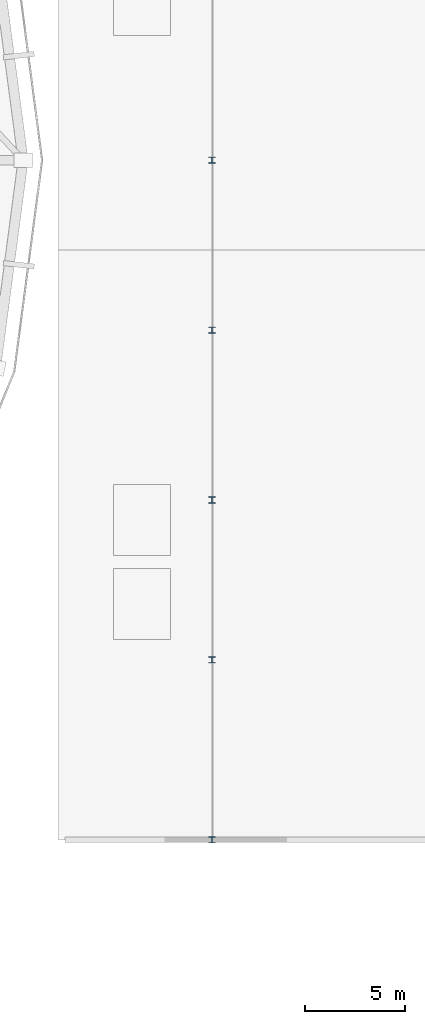
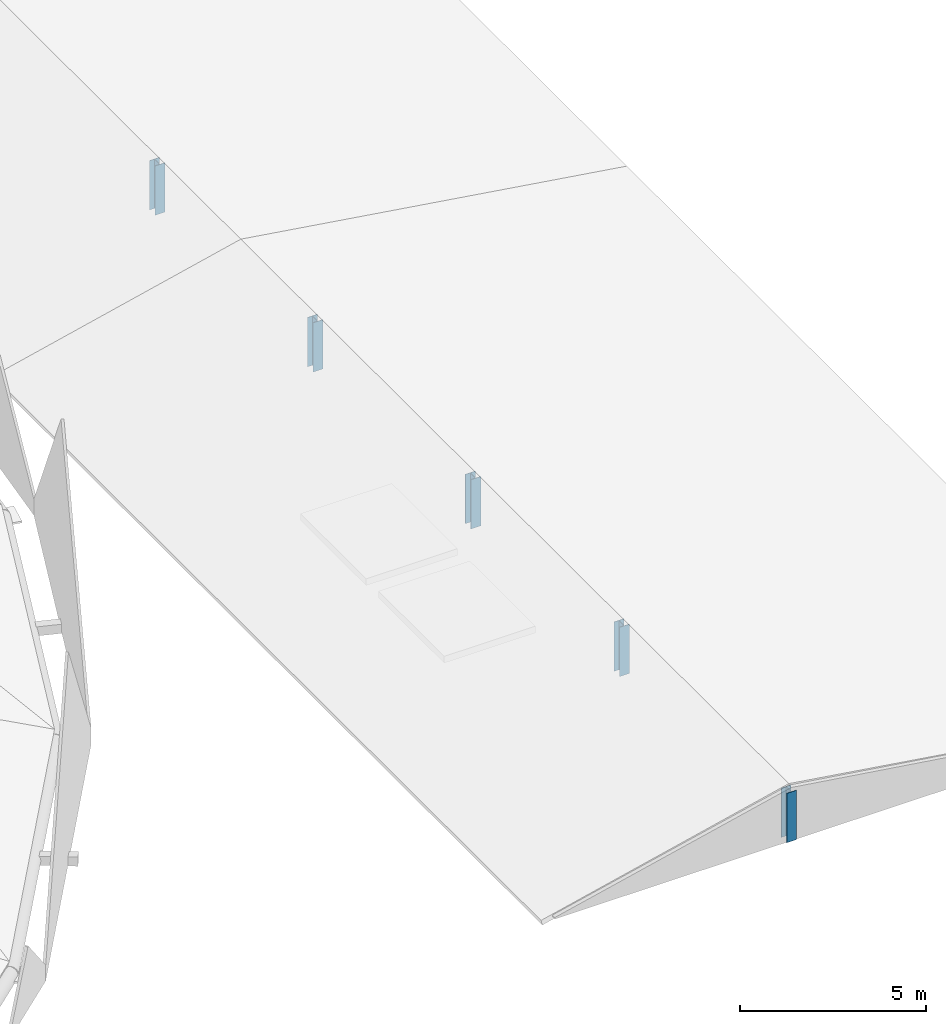
# One storey, part 3 of 27: 5 columns.
"""IFC4 building model written with IfcOpenShell, lengths in metres."""

from ifc_helpers import new_model, si_unit, direction, frame, origin, origin_2d, place, context, subcontext, project, spatial, i_section, extrude, material, material_profile, profile_set, type_object, element, save


model = new_model("IFC4")

# Units and contexts
model_context = context("Model", 3, precision=1e-05, world=origin(), true_north=direction((0.0, 1.0)))
body_context = subcontext(model_context, "Body", "Model", "MODEL_VIEW")
ifc_project = project(units=[si_unit("LENGTHUNIT", "METRE"), si_unit("AREAUNIT", "SQUARE_METRE"), si_unit("VOLUMEUNIT", "CUBIC_METRE"), si_unit("PLANEANGLEUNIT", "RADIAN"), si_unit("MASSUNIT", "GRAM", prefix="KILO")], contexts=[model_context])

# Site, building, storey
site_placement = place(None, origin())
site = spatial("IfcSite", under=ifc_project, at=site_placement, CompositionType="ELEMENT")
building_placement = place(site_placement, origin())
building = spatial("IfcBuilding", under=site, at=building_placement, Name="Cuetzalor Civic Arena", CompositionType="ELEMENT")
storey_placement = place(building_placement, frame((0.0, 0.0, 31.800048828125)))
storey = spatial("IfcBuildingStorey", under=building, at=storey_placement, Name="Roof", CompositionType="ELEMENT", Elevation=31.800048828125)

# Columns
ifc_material = material(Name="Steel S355", Category="steel")
ifc_material_profile = material_profile(ifc_material, i_section(OverallWidth=0.304931640625, OverallDepth=0.30810546875, WebThickness=0.010009765625, FlangeThickness=0.015380859375, at=origin_2d()), Name="W310x97")
ifc_profile_set = profile_set([ifc_material_profile], Name="Steel S355")
column_type = type_object("IfcColumnType", Name="SteelGalleryColumn_W310", PredefinedType="COLUMN", material=ifc_profile_set)
for number, where, z_axis, x_axis, name in (
    (1, (64.0, -34.0, 0.0), (0.0, 0.0, 1.0), (1.0, 0.0, 0.0), "V4E Zinc Roof Ridge Post 1"),
    (2, (64.0, -25.0, 0.0), (0.0, 0.0, 1.0), (1.0, 0.0, 0.0), "V4E Zinc Roof Ridge Post 2"),
    (3, (64.0, -17.0, 0.0), (0.0, 0.0, 1.0), (1.0, 0.0, 0.0), "V4E Zinc Roof Ridge Post 3"),
    (4, (64.0, -8.5, 0.0), (0.0, 0.0, 1.0), (1.0, 0.0, 0.0), "V4E Zinc Roof Ridge Post 4"),
    (5, (64.0, 0.0, 0.0), (0.0, 0.0, 1.0), (1.0, 0.0, 0.0), "V4E Zinc Roof Ridge Post 5"),
):
    element("IfcColumn", number, at=place(storey_placement, frame(where, z_axis=z_axis, x_axis=x_axis)), inside=storey, type_object=column_type, Name=name, PredefinedType="COLUMN", context=body_context, shape_type="SweptSolid", body=[
        extrude(i_section(OverallWidth=0.304931640625, OverallDepth=0.30810546875, WebThickness=0.010009765625, FlangeThickness=0.015380859375, at=origin_2d()), origin(), (0.0, 0.0, 1.0), 1.619873046875),
    ])

save(model, "model.ifc")
